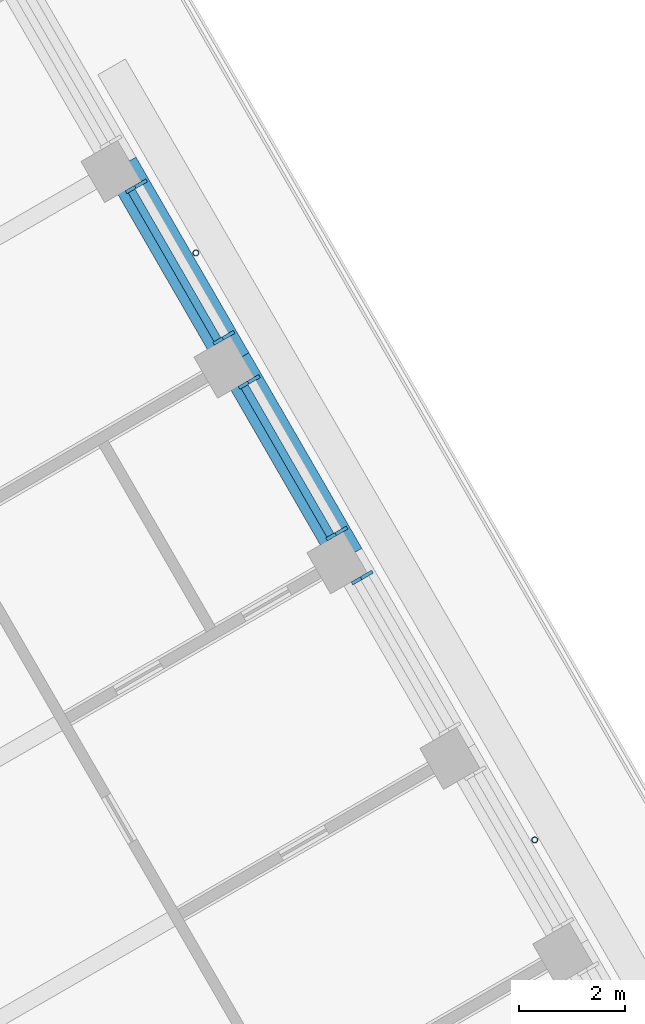
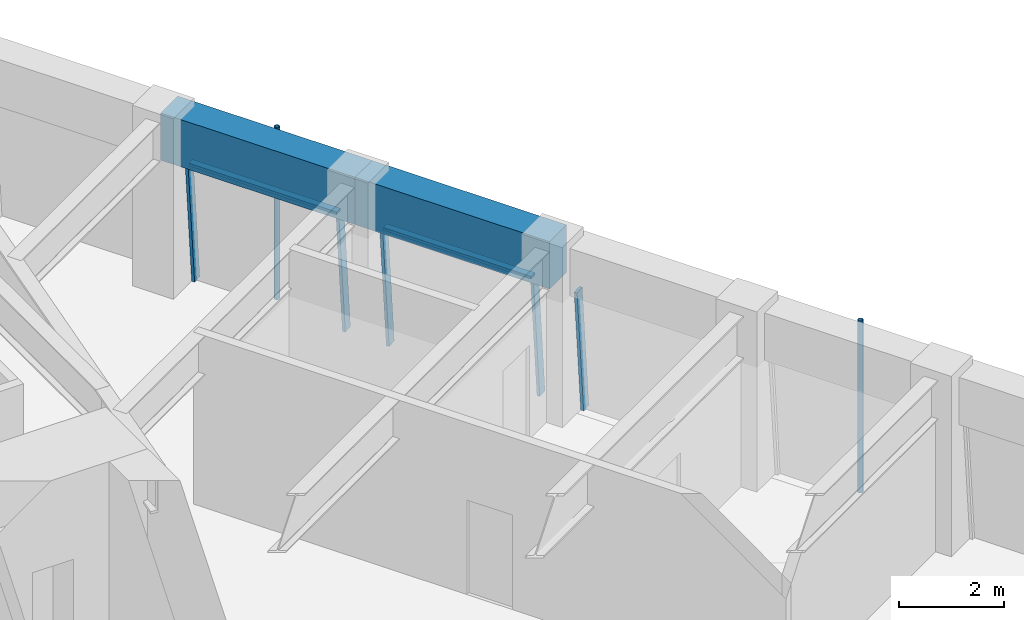
# One storey, part 10 of 19: 9 members, 2 beams, 3 elements without a shape of their own.
"""IFC4 building model written with IfcOpenShell, lengths in metres."""

from ifc_helpers import new_model, si_unit, direction, frame, origin, origin_2d, place, context, subcontext, project, spatial, rectangle, hollow_circle, extrude, material, material_profile, profile_set, type_object, element, aggregate, save


model = new_model("IFC4")

# Units and contexts
model_context = context("Model", 3, precision=1e-05, world=origin(), true_north=direction((0.0, 1.0)))
body_context = subcontext(model_context, "Body", "Model", "MODEL_VIEW")
ifc_project = project(units=[si_unit("LENGTHUNIT", "METRE"), si_unit("AREAUNIT", "SQUARE_METRE"), si_unit("VOLUMEUNIT", "CUBIC_METRE"), si_unit("PLANEANGLEUNIT", "RADIAN"), si_unit("MASSUNIT", "GRAM", prefix="KILO")], contexts=[model_context])

# Site, building, storey
site_placement = place(None, origin())
site = spatial("IfcSite", under=ifc_project, at=site_placement, CompositionType="ELEMENT")
building_placement = place(site_placement, origin())
building = spatial("IfcBuilding", under=site, at=building_placement, Name="Tarfa Lantern Tower", CompositionType="ELEMENT")
storey_placement = place(building_placement, frame((0.0, 0.0, 366.10009765625)))
storey = spatial("IfcBuildingStorey", under=building, at=storey_placement, Name="L83", CompositionType="ELEMENT", Elevation=366.10009765625)

# Curtain wall, member
ifc_material_1 = material(Name="Aluminium framed curtain wall", Category="aluminium")
curtain_wall_type = type_object("IfcCurtainWallType", Name="CW4 CANTED GLAZING EXECUTIVE ZONE 2900", PredefinedType="USERDEFINED", material=ifc_material_1)
curtain_wall_1_placement = place(storey_placement, origin())
curtain_wall_1 = element("IfcCurtainWall", 1, at=curtain_wall_1_placement, inside=storey, type_object=curtain_wall_type, Name="CW4 NE L83", ObjectType="CURTAIN WALL", PredefinedType="USERDEFINED")
ifc_material_2 = material(Name="Aluminium mullion", Category="aluminium")
ifc_material_profile_1 = material_profile(ifc_material_2, rectangle(XDim=0.06494140625, YDim=0.199951171875, at=origin_2d()), Name="AL MULLION 65x200")
ifc_profile_set_1 = profile_set([ifc_material_profile_1], Name="Aluminium mullion")
member_type_1 = type_object("IfcMemberType", Name="CWM1 MULLION 65x200", PredefinedType="MULLION", material=ifc_profile_set_1)
member_1_placement = place(storey_placement, frame((23.32080078125, 12.9072265625, 0.0), z_axis=(-0.074399820079, -0.042945555672, 0.996303340364), x_axis=(0.499919672301, -0.866071776036, 0.0)))
member_1 = element("IfcMember", 2, at=member_1_placement, type_object=member_type_1, Name="CW4 mullion 2", PredefinedType="MULLION", context=body_context, shape_type="SweptSolid", body=[
    extrude(rectangle(XDim=0.06494140625, YDim=0.199951171875, at=origin_2d()), origin(), (0.0, 0.0, 1.0), 2.91064453125),
])
aggregate(curtain_wall_1, [member_1])

# Curtain wall, members
curtain_wall_2_placement = place(storey_placement, origin())
curtain_wall_2 = element("IfcCurtainWall", 3, at=curtain_wall_2_placement, inside=storey, type_object=curtain_wall_type, Name="CW4 NE L83", ObjectType="CURTAIN WALL", PredefinedType="USERDEFINED")
member_2_placement = place(storey_placement, frame((22.83837890625, 13.742919921875, 0.0), z_axis=(-0.074399820079, -0.042945555672, 0.996303340364), x_axis=(0.499919672301, -0.866071776036, 0.0)))
member_2 = element("IfcMember", 4, at=member_2_placement, type_object=member_type_1, Name="CW4 mullion 1", PredefinedType="MULLION", context=body_context, shape_type="SweptSolid", body=[
    extrude(rectangle(XDim=0.06494140625, YDim=0.199951171875, at=origin_2d()), origin(), (0.0, 0.0, 1.0), 2.91064453125),
])
member_3_placement = place(storey_placement, frame((21.179931640625, 16.615478515625, 0.0), z_axis=(-0.074399820079, -0.042945555672, 0.996303340364), x_axis=(0.499919672301, -0.866071776036, 0.0)))
member_3 = element("IfcMember", 5, at=member_3_placement, type_object=member_type_1, Name="CW4 mullion 2", PredefinedType="MULLION", context=body_context, shape_type="SweptSolid", body=[
    extrude(rectangle(XDim=0.06494140625, YDim=0.199951171875, at=origin_2d()), origin(), (0.0, 0.0, 1.0), 2.91064453125),
])

curtain_wall_3_placement = place(storey_placement, origin())
curtain_wall_3 = element("IfcCurtainWall", 6, at=curtain_wall_3_placement, inside=storey, type_object=curtain_wall_type, Name="CW4 NE L83", ObjectType="CURTAIN WALL", PredefinedType="USERDEFINED")
member_4_placement = place(storey_placement, frame((20.697265625, 17.451171875, 0.0), z_axis=(-0.074399820079, -0.042945555672, 0.996303340364), x_axis=(0.499919672301, -0.866071776036, 0.0)))
member_4 = element("IfcMember", 7, at=member_4_placement, type_object=member_type_1, Name="CW4 mullion 1", PredefinedType="MULLION", context=body_context, shape_type="SweptSolid", body=[
    extrude(rectangle(XDim=0.06494140625, YDim=0.199951171875, at=origin_2d()), origin(), (0.0, 0.0, 1.0), 2.91064453125),
])
member_5_placement = place(storey_placement, frame((19.038818359375, 20.32373046875, 0.0), z_axis=(-0.074399820079, -0.042945555672, 0.996303340364), x_axis=(0.499919672301, -0.866071776036, 0.0)))
member_5 = element("IfcMember", 8, at=member_5_placement, type_object=member_type_1, Name="CW4 mullion 2", PredefinedType="MULLION", context=body_context, shape_type="SweptSolid", body=[
    extrude(rectangle(XDim=0.06494140625, YDim=0.199951171875, at=origin_2d()), origin(), (0.0, 0.0, 1.0), 2.91064453125),
])

# Member
ifc_material_3 = material(Name="Aluminium transom", Category="aluminium")
ifc_material_profile_2 = material_profile(ifc_material_3, rectangle(XDim=0.14990234375, YDim=0.06494140625, at=origin_2d()), Name="AL TRANSOM 150x65")
ifc_profile_set_2 = profile_set([ifc_material_profile_2], Name="Aluminium transom")
member_type_2 = type_object("IfcMemberType", Name="CWT1 TRANSOM 150x65", PredefinedType="USERDEFINED", material=ifc_profile_set_2)
member_6_placement = place(storey_placement, frame((22.60791015625, 13.6474609375, 2.867431640625), z_axis=(-0.500014901547, 0.866016800201, 0.0), x_axis=(-0.866016800201, -0.500014901547, 0.0)))
member_6 = element("IfcMember", 9, at=member_6_placement, type_object=member_type_2, Name="CW4 transom 1.2", ObjectType="TRANSOM", PredefinedType="USERDEFINED", context=body_context, shape_type="SweptSolid", body=[
    extrude(rectangle(XDim=0.14990234375, YDim=0.06494140625, at=origin_2d()), origin(), (0.0, 0.0, 1.0), 3.251953125),
])

aggregate(curtain_wall_2, [member_2, member_3, member_6])

member_7_placement = place(storey_placement, frame((20.467041015625, 17.355712890625, 2.867431640625), z_axis=(-0.499982393232, 0.866035568818, 0.0), x_axis=(-0.866035568818, -0.499982393232, 0.0)))
member_7 = element("IfcMember", 10, at=member_7_placement, type_object=member_type_2, Name="CW4 transom 1.2", ObjectType="TRANSOM", PredefinedType="USERDEFINED", context=body_context, shape_type="SweptSolid", body=[
    extrude(rectangle(XDim=0.14990234375, YDim=0.06494140625, at=origin_2d()), origin(), (0.0, 0.0, 1.0), 3.251953125),
])

aggregate(curtain_wall_3, [member_4, member_5, member_7])

# Beams
ifc_material_4 = material(Name="Concrete C80/95", Category="concrete")
ifc_material_profile_3 = material_profile(ifc_material_4, rectangle(XDim=0.64990234375, YDim=1.10009765625, at=origin_2d()), Name="RC 650x1100")
ifc_profile_set_3 = profile_set([ifc_material_profile_3], Name="Concrete C80/95")
beam_type = type_object("IfcBeamType", Name="EB4 RC 650x1100", PredefinedType="SPANDREL", material=ifc_profile_set_3)
for number, where, z_axis, x_axis, name in (
    (11, (22.923583984375, 13.235107421875, 3.449951171875), (-0.499984039138, 0.866034618596, 0.0), (-0.866034618596, -0.499984039138, 0.0), "Edge beam NE3"),
    (12, (20.78271484375, 16.943359375, 3.449951171875), (-0.500026801138, 0.866009929587, 0.0), (-0.866009929587, -0.500026801138, 0.0), "Edge beam NE4"),
):
    element("IfcBeam", number, at=place(storey_placement, frame(where, z_axis=z_axis, x_axis=x_axis)), inside=storey, type_object=beam_type, Name=name, PredefinedType="SPANDREL", context=body_context, shape_type="SweptSolid", body=[
        extrude(rectangle(XDim=0.64990234375, YDim=1.10009765625, at=origin_2d()), origin(), (0.0, 0.0, 1.0), 4.281982421875),
    ])

# Members
ifc_material_5 = material(Name="Steel S355", Category="steel")
ifc_material_profile_4 = material_profile(ifc_material_5, hollow_circle(Radius=0.05712890625, WallThickness=0.00634765625, at=origin_2d()), Name="CHS114.3x6.3")
ifc_profile_set_4 = profile_set([ifc_material_profile_4], Name="Steel S355")
member_type_3 = type_object("IfcMemberType", Name="TR1 GREEN WALL TRELLIS CHS114.3x6.3", PredefinedType="USERDEFINED", material=ifc_profile_set_4)
for number, where, z_axis, x_axis, name in (
    (13, (26.481689453125, 7.87255859375, 0.0), (0.0, 0.0, 1.0), (1.0, 0.0, 0.0), "Trellis post NE 1"),
    (14, (20.05859375, 18.99755859375, 0.0), (0.0, 0.0, 1.0), (1.0, 0.0, 0.0), "Trellis post NE 2"),
):
    element("IfcMember", number, at=place(storey_placement, frame(where, z_axis=z_axis, x_axis=x_axis)), inside=storey, type_object=member_type_3, Name=name, ObjectType="TRELLIS", PredefinedType="USERDEFINED", context=body_context, shape_type="SweptSolid", body=[
        extrude(hollow_circle(Radius=0.05712890625, WallThickness=0.00634765625, at=origin_2d()), origin(), (0.0, 0.0, 1.0), 4.0),
    ])

save(model, "model.ifc")
